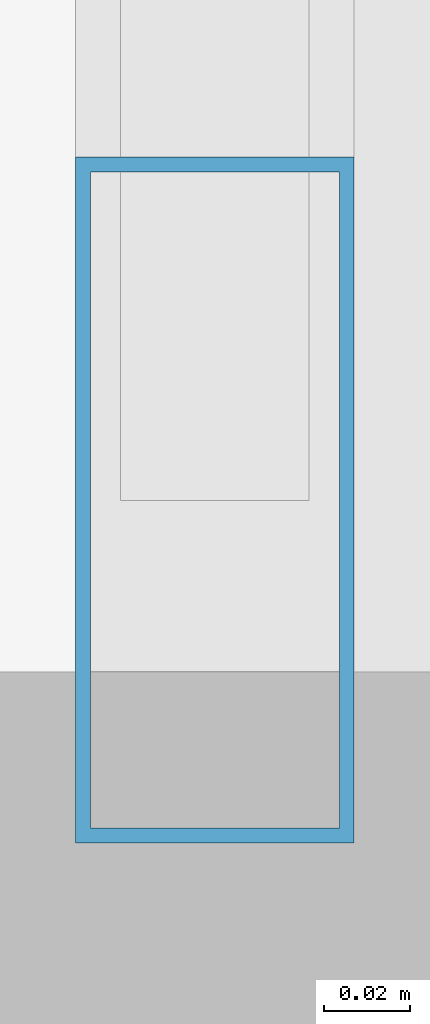
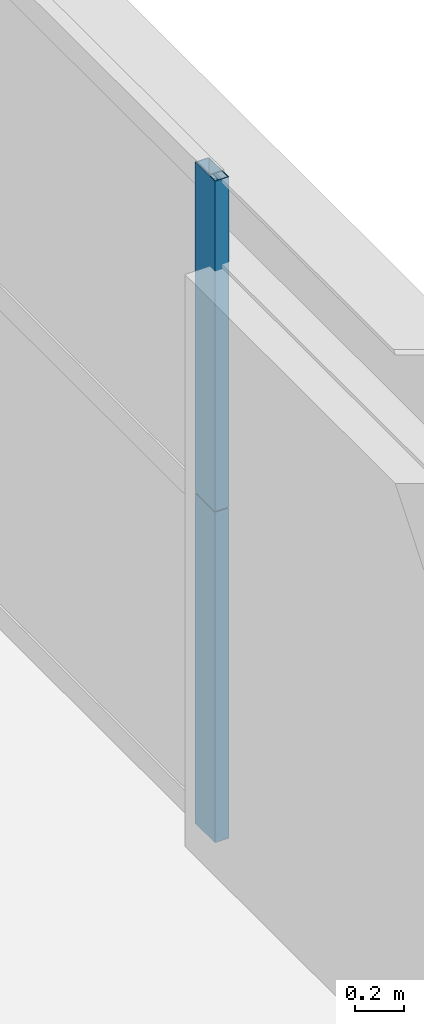
# One storey, part 17 of 42: 2 members, 1 element without a shape of its own.
"""IFC4 building model written with IfcOpenShell, lengths in metres."""

from ifc_helpers import new_model, si_unit, direction, frame, origin, origin_2d, place, context, subcontext, project, spatial, hollow_rectangle, extrude, source, transform, mapped, material, layer, layer_set, material_profile, profile_set, type_object, element, aggregate, save


model = new_model("IFC4")

# Units and contexts
model_context = context("Model", 3, precision=1e-05, world=origin(), true_north=direction((0.0, 1.0)))
body_context = subcontext(model_context, "Body", "Model", "MODEL_VIEW")
ifc_project = project(units=[si_unit("LENGTHUNIT", "METRE"), si_unit("AREAUNIT", "SQUARE_METRE"), si_unit("VOLUMEUNIT", "CUBIC_METRE"), si_unit("PLANEANGLEUNIT", "RADIAN"), si_unit("MASSUNIT", "GRAM", prefix="KILO"), si_unit("THERMODYNAMICTEMPERATUREUNIT", "KELVIN"), si_unit("POWERUNIT", "WATT")], contexts=[model_context])

# Site, building, storey
site_placement = place(None, origin())
site = spatial("IfcSite", under=ifc_project, at=site_placement, CompositionType="ELEMENT")
building_placement = place(site_placement, origin())
building = spatial("IfcBuilding", under=site, at=building_placement, Name="Yuzanri Waterfront Tower", CompositionType="ELEMENT")
storey_placement = place(building_placement, frame((0.0, 0.0, 205.5)))
storey = spatial("IfcBuildingStorey", under=building, at=storey_placement, Name="L54", CompositionType="ELEMENT", Elevation=205.5)

# Curtain wall, members
ifc_material_1 = material(Name="Anodized Architectural Bronze", Category="metal")
ifc_layer = layer(ifc_material_1, 0.159912109375)
ifc_layer_set = layer_set([ifc_layer], Name="Anodized Architectural Bronze")
curtain_wall_type = type_object("IfcCurtainWallType", Name="Anodized Bronze Mid-Rise Residential Acoustic Unitized Curtain Wall 7200", PredefinedType="NOTDEFINED", material=ifc_layer_set)
curtain_wall_placement = place(storey_placement, origin())
curtain_wall = element("IfcCurtainWall", 1, at=curtain_wall_placement, inside=storey, type_object=curtain_wall_type, Name="L54 Curtain Wall CW-L54-EL", PredefinedType="NOTDEFINED")
ifc_material_2 = material(Name="Anodized Architectural Bronze", Category="metal")
ifc_material_profile = material_profile(ifc_material_2, hollow_rectangle(XDim=0.06494140625, YDim=0.159912109375, WallThickness=0.00341796875, at=origin_2d()), Name="CWM 65x160")
ifc_profile_set = profile_set([ifc_material_profile], Name="Anodized Architectural Bronze")
member_type = type_object("IfcMemberType", Name="Anodized Bronze Upper-Zone Curtain-Wall Mullion 65x160", PredefinedType="MULLION", material=ifc_profile_set)
shared_shape = source(origin(), body_context, "Body", "SweptSolid", [
    extrude(hollow_rectangle(XDim=0.06494140625, YDim=0.159912109375, WallThickness=0.00341796875, at=origin_2d()), origin(), (0.0, 0.0, 1.0), 1.637939453125),
])
member_1_placement = place(storey_placement, frame((58.949951171875, 11.090087890625, 0.0), z_axis=(0.0, 0.0, 1.0), x_axis=(1.0, 0.0, 0.0)))
member_1 = element("IfcMember", 2, at=member_1_placement, type_object=member_type, Name="CW-L54-EL Lower Mullion 00", PredefinedType="MULLION", context=body_context, shape_type="MappedRepresentation", body=[
    mapped(shared_shape, transform((0.0, 0.0, 0.0), scale=1.0)),
])
member_2_placement = place(storey_placement, frame((58.949951171875, 11.090087890625, 1.64208984375), z_axis=(0.0, 0.0, 1.0), x_axis=(1.0, 0.0, 0.0)))
member_2 = element("IfcMember", 3, at=member_2_placement, type_object=member_type, Name="CW-L54-EL Upper Mullion 00", PredefinedType="MULLION", context=body_context, shape_type="MappedRepresentation", body=[
    mapped(shared_shape, transform((0.0, 0.0, 0.0), scale=1.0)),
])
aggregate(curtain_wall, [member_1, member_2])

save(model, "model.ifc")
